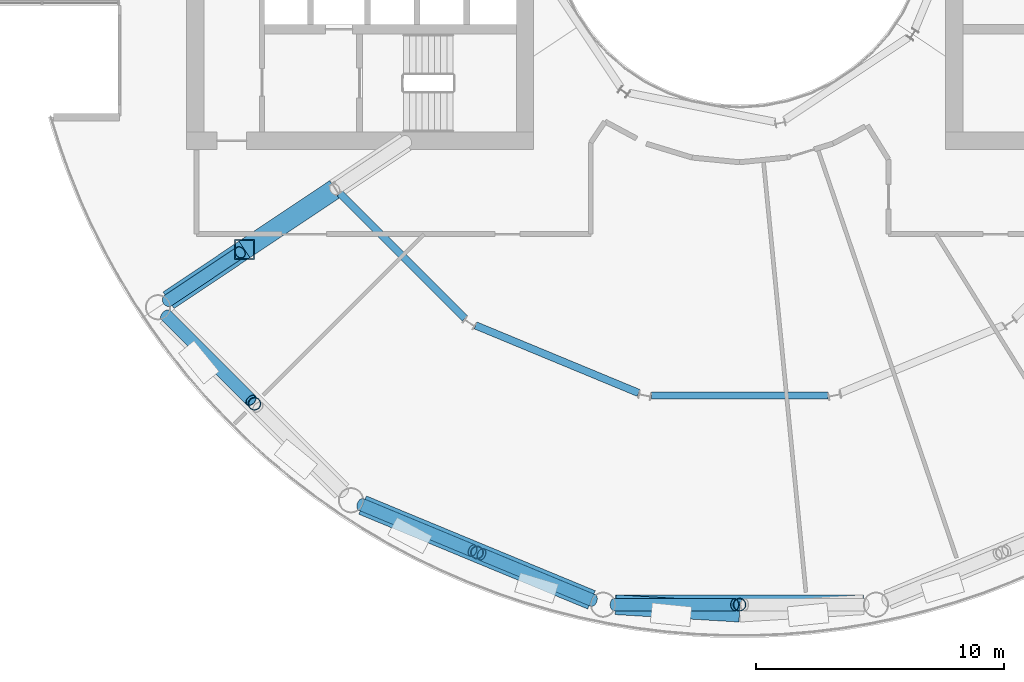
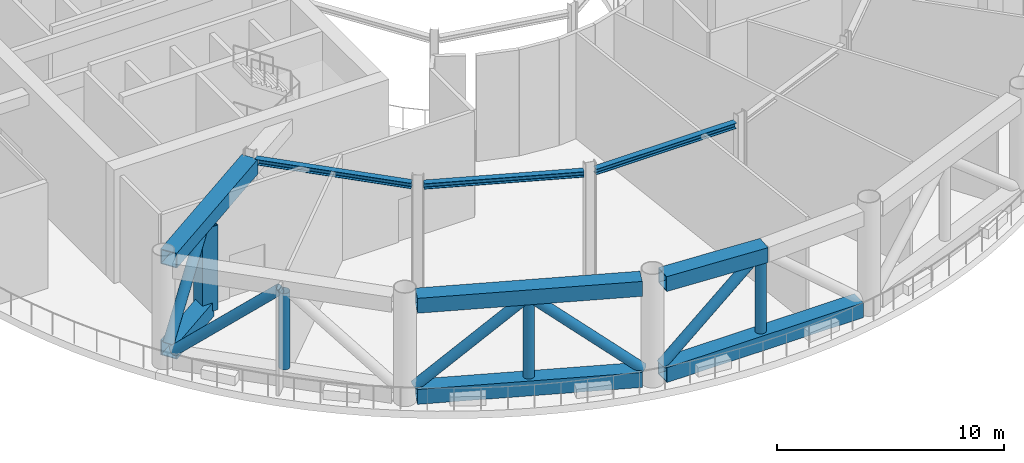
# One storey, part 5 of 23: 9 beams, 9 members.
"""IFC4 building model written with IfcOpenShell, lengths in metres."""

from ifc_helpers import new_model, si_unit, direction, frame, origin, origin_2d, place, context, subcontext, project, spatial, hollow_rectangle, hollow_circle, i_section, extrude, material, material_profile, profile_set, type_object, element, save


model = new_model("IFC4")

# Units and contexts
model_context = context("Model", 3, precision=1e-05, world=origin(), true_north=direction((0.0, 1.0)))
body_context = subcontext(model_context, "Body", "Model", "MODEL_VIEW")
ifc_project = project(units=[si_unit("LENGTHUNIT", "METRE"), si_unit("AREAUNIT", "SQUARE_METRE"), si_unit("VOLUMEUNIT", "CUBIC_METRE"), si_unit("PLANEANGLEUNIT", "RADIAN"), si_unit("MASSUNIT", "GRAM", prefix="KILO")], contexts=[model_context])

# Site, building, storey
site_placement = place(None, origin())
site = spatial("IfcSite", under=ifc_project, at=site_placement, CompositionType="ELEMENT")
building_placement = place(site_placement, origin())
building = spatial("IfcBuilding", under=site, at=building_placement, Name="Maasbend Ring Residences", CompositionType="ELEMENT")
storey_placement = place(building_placement, frame((0.0, 0.0, 97.14990234375)))
storey = spatial("IfcBuildingStorey", under=building, at=storey_placement, Name="L28", CompositionType="ELEMENT", Elevation=97.14990234375)

# Beams
ifc_material_1 = material(Name="Steel S460M", Category="steel")
ifc_material_profile_1 = material_profile(ifc_material_1, hollow_rectangle(XDim=0.800048828125, YDim=0.800048828125, WallThickness=0.0400390625, at=origin_2d()), Name="Belt truss chord BX 800x800x40")
ifc_profile_set_1 = profile_set([ifc_material_profile_1], Name="Steel S460M")
beam_type_1 = type_object("IfcBeamType", Name="Belt truss chord BX 800x800x40", PredefinedType="BEAM", material=ifc_profile_set_1)
for number, where, z_axis, x_axis, name in (
    (1, (-15.19775390625, -23.641845703125, 0.400146484375), (0.923886337442, -0.382667003395, 0.0), (0.382667003395, 0.923886337442, 0.0), "Belt truss"),
    (2, (-15.19775390625, -23.641845703125, 5.300048828125), (0.923886337442, -0.382667003395, 0.0), (0.382667003395, 0.923886337442, 0.0), "Belt truss"),
):
    element("IfcBeam", number, at=place(storey_placement, frame(where, z_axis=z_axis, x_axis=x_axis)), inside=storey, type_object=beam_type_1, Name=name, PredefinedType="BEAM", context=body_context, shape_type="SweptSolid", body=[
        extrude(hollow_rectangle(XDim=0.800048828125, YDim=0.800048828125, WallThickness=0.0400390625, at=origin_2d()), origin(), (0.0, 0.0, 1.0), 9.9873046875),
    ])
beam_1_placement = place(storey_placement, frame((-4.993408203125, -27.658203125, 0.400146484375), z_axis=(1.0, 0.0, 0.0), x_axis=(0.0, 1.0, 0.0)))
element("IfcBeam", 3, at=beam_1_placement, inside=storey, type_object=beam_type_1, Name="Belt truss", PredefinedType="BEAM", context=body_context, shape_type="SweptSolid", body=[
    extrude(hollow_rectangle(XDim=0.800048828125, YDim=0.800048828125, WallThickness=0.0400390625, at=origin_2d()), origin(), (0.0, 0.0, 1.0), 9.98681640625),
])
beam_2_placement = place(storey_placement, frame((-4.993408203125, -27.658203125, 5.300048828125), z_axis=(0.998202452092, -0.059932166976, 0.0), x_axis=(0.059932166976, 0.998202452092, 0.0)))
element("IfcBeam", 4, at=beam_2_placement, inside=storey, type_object=beam_type_1, Name="Belt truss", PredefinedType="BEAM", context=body_context, shape_type="SweptSolid", body=[
    extrude(hollow_rectangle(XDim=0.800048828125, YDim=0.800048828125, WallThickness=0.0400390625, at=origin_2d()), origin(), (0.0, 0.0, 1.0), 5.00244140625),
])

# Members
ifc_material_2 = material(Name="Steel S460NH", Category="steel")
ifc_material_profile_2 = material_profile(ifc_material_2, hollow_circle(Radius=0.25390625, WallThickness=0.02490234375, at=origin_2d()), Name="Belt truss diagonal CHS 508x25")
ifc_profile_set_2 = profile_set([ifc_material_profile_2], Name="Steel S460NH")
member_type_1 = type_object("IfcMemberType", Name="Belt truss diagonal CHS 508x25", PredefinedType="BRACE", material=ifc_profile_set_2)
for number, where, z_axis, x_axis, name in (
    (5, (-23.129150390625, -15.9853515625, 0.75), (0.53476676586, -0.53476676586, 0.654254546995), (0.707106781187, 0.707106781187, 0.0), "Belt truss diagonal"),
    (6, (-15.251220703125, -23.61962890625, 0.75), (0.698703236412, -0.289437235744, 0.65424756323), (0.382711511298, 0.923867901337, 0.0), "Belt truss diagonal"),
    (7, (-10.403076171875, -25.627685546875, 4.9501953125), (0.698703236412, -0.289437235744, -0.65424756323), (0.382711511298, 0.923867901337, 0.0), "Belt truss diagonal"),
):
    element("IfcMember", number, at=place(storey_placement, frame(where, z_axis=z_axis, x_axis=x_axis)), inside=storey, type_object=member_type_1, Name=name, PredefinedType="BRACE", context=body_context, shape_type="SweptSolid", body=[
        extrude(hollow_circle(Radius=0.25390625, WallThickness=0.02490234375, at=origin_2d()), origin(), (0.0, 0.0, 1.0), 6.419921875),
    ])
member_1_placement = place(storey_placement, frame((-5.05126953125, -27.658203125, 0.75), z_axis=(0.756263488028, 0.0, 0.654267175301), x_axis=(0.0, 1.0, 0.0)))
element("IfcMember", 8, at=member_1_placement, inside=storey, type_object=member_type_1, Name="Belt truss diagonal", PredefinedType="BRACE", context=body_context, shape_type="SweptSolid", body=[
    extrude(hollow_circle(Radius=0.25390625, WallThickness=0.02490234375, at=origin_2d()), origin(), (0.0, 0.0, 1.0), 6.419677734375),
])
ifc_material_3 = material(Name="Steel S460NH", Category="steel")
ifc_material_profile_3 = material_profile(ifc_material_3, hollow_circle(Radius=0.25390625, WallThickness=0.01611328125, at=origin_2d()), Name="Belt truss post CHS 508x16")
ifc_profile_set_3 = profile_set([ifc_material_profile_3], Name="Steel S460NH")
member_type_2 = type_object("IfcMemberType", Name="Belt truss post CHS 508x16", PredefinedType="POST", material=ifc_profile_set_3)
for number, where, z_axis, x_axis, name in (
    (9, (-19.55712890625, -19.55712890625, 0.800048828125), (0.0, 0.0, 1.0), (1.0, 0.0, 0.0), "Belt truss post"),
    (10, (-10.584228515625, -25.552734375, 0.800048828125), (0.0, 0.0, 1.0), (1.0, 0.0, 0.0), "Belt truss post"),
    (11, (0.0, -27.658203125, 0.800048828125), (0.0, 0.0, 1.0), (1.0, 0.0, 0.0), "Belt truss post"),
):
    element("IfcMember", number, at=place(storey_placement, frame(where, z_axis=z_axis, x_axis=x_axis)), inside=storey, type_object=member_type_2, Name=name, PredefinedType="POST", context=body_context, shape_type="SweptSolid", body=[
        extrude(hollow_circle(Radius=0.25390625, WallThickness=0.01611328125, at=origin_2d()), origin(), (0.0, 0.0, 1.0), 4.10009765625),
    ])

# Beams
ifc_material_4 = material(Name="Steel S355J2", Category="steel")
ifc_material_profile_4 = material_profile(ifc_material_4, i_section(OverallWidth=0.300048828125, OverallDepth=0.300048828125, WebThickness=0.010986328125, FlangeThickness=0.01904296875, FilletRadius=0.027099609375, at=origin_2d()), Name="HEB 300")
ifc_profile_set_4 = profile_set([ifc_material_profile_4], Name="Steel S355J2")
beam_type_2 = type_object("IfcBeamType", Name="Corridor ring beam HEB 300", PredefinedType="BEAM", material=ifc_profile_set_4)
for number, where, z_axis, x_axis, name in (
    (12, (-16.10791015625, -11.078125, 5.550048828125), (0.707106781187, -0.707106781187, 0.0), (0.707106781187, 0.707106781187, 0.0), "Corridor ring beam"),
    (13, (-10.642333984375, -16.39892578125, 5.550048828125), (0.923877113721, -0.382689271788, 0.0), (0.382689271788, 0.923877113721, 0.0), "Corridor ring beam"),
    (14, (-3.556640625, -19.223388671875, 5.550048828125), (1.0, 0.0, 0.0), (0.0, 1.0, 0.0), "Corridor ring beam"),
):
    element("IfcBeam", number, at=place(storey_placement, frame(where, z_axis=z_axis, x_axis=x_axis)), inside=storey, type_object=beam_type_2, Name=name, PredefinedType="BEAM", context=body_context, shape_type="SweptSolid", body=[
        extrude(i_section(OverallWidth=0.300048828125, OverallDepth=0.300048828125, WebThickness=0.010986328125, FlangeThickness=0.01904296875, FilletRadius=0.027099609375, at=origin_2d()), origin(), (0.0, 0.0, 1.0), 7.11328125),
    ])
ifc_material_5 = material(Name="Steel S460M", Category="steel")
ifc_material_profile_5 = material_profile(ifc_material_5, hollow_rectangle(XDim=0.800048828125, YDim=0.800048828125, WallThickness=0.0400390625, at=origin_2d()), Name="Outrigger truss chord BX 800x800x40")
ifc_profile_set_5 = profile_set([ifc_material_profile_5], Name="Steel S460M")
beam_type_3 = type_object("IfcBeamType", Name="Outrigger truss chord BX 800x800x40", PredefinedType="BEAM", material=ifc_profile_set_5)
beam_3_placement = place(storey_placement, frame((-23.02490234375, -15.385009765625, 0.400146484375), z_axis=(0.83143805452, 0.555617459676, 0.0), x_axis=(-0.555617459676, 0.83143805452, 0.0)))
element("IfcBeam", 15, at=beam_3_placement, inside=storey, type_object=beam_type_3, Name="Outrigger truss", PredefinedType="BEAM", context=body_context, shape_type="SweptSolid", body=[
    extrude(hollow_rectangle(XDim=0.800048828125, YDim=0.800048828125, WallThickness=0.0400390625, at=origin_2d()), origin(), (0.0, 0.0, 1.0), 3.68408203125),
])
beam_4_placement = place(storey_placement, frame((-23.02490234375, -15.385009765625, 5.300048828125), z_axis=(0.831450444505, 0.555598918585, 0.0), x_axis=(-0.555598918585, 0.831450444505, 0.0)))
element("IfcBeam", 16, at=beam_4_placement, inside=storey, type_object=beam_type_3, Name="Outrigger truss", PredefinedType="BEAM", context=body_context, shape_type="SweptSolid", body=[
    extrude(hollow_rectangle(XDim=0.800048828125, YDim=0.800048828125, WallThickness=0.0400390625, at=origin_2d()), origin(), (0.0, 0.0, 1.0), 8.083984375),
])

# Members
ifc_material_6 = material(Name="Steel S460NH", Category="steel")
ifc_material_profile_6 = material_profile(ifc_material_6, hollow_circle(Radius=0.25390625, WallThickness=0.02490234375, at=origin_2d()), Name="Outrigger truss diagonal CHS 508x25")
ifc_profile_set_6 = profile_set([ifc_material_profile_6], Name="Steel S460NH")
member_type_3 = type_object("IfcMemberType", Name="Outrigger truss diagonal CHS 508x25", PredefinedType="BRACE", material=ifc_profile_set_6)
member_2_placement = place(storey_placement, frame((-23.059814453125, -15.408203125, 0.75), z_axis=(0.533517077926, 0.356480534394, 0.766994886658), x_axis=(-0.555565729275, 0.831472621591, 0.0)))
element("IfcMember", 17, at=member_2_placement, inside=storey, type_object=member_type_3, Name="Outrigger truss diagonal", PredefinedType="BRACE", context=body_context, shape_type="SweptSolid", body=[
    extrude(hollow_circle(Radius=0.25390625, WallThickness=0.02490234375, at=origin_2d()), origin(), (0.0, 0.0, 1.0), 5.47607421875),
])
ifc_material_7 = material(Name="Steel S460M", Category="steel")
ifc_material_profile_7 = material_profile(ifc_material_7, hollow_rectangle(XDim=0.800048828125, YDim=0.800048828125, WallThickness=0.0400390625, at=origin_2d()), Name="Outrigger truss post BX 800x800x40")
ifc_profile_set_7 = profile_set([ifc_material_profile_7], Name="Steel S460M")
member_type_4 = type_object("IfcMemberType", Name="Outrigger truss post BX 800x800x40", PredefinedType="POST", material=ifc_profile_set_7)
member_3_placement = place(storey_placement, frame((-19.9619140625, -13.338134765625, 0.35009765625), z_axis=(0.0, 0.0, 1.0), x_axis=(1.0, 0.0, 0.0)))
element("IfcMember", 18, at=member_3_placement, inside=storey, type_object=member_type_4, Name="Outrigger truss post", PredefinedType="POST", context=body_context, shape_type="SweptSolid", body=[
    extrude(hollow_rectangle(XDim=0.800048828125, YDim=0.800048828125, WallThickness=0.0400390625, at=origin_2d()), origin(), (0.0, 0.0, 1.0), 4.550048828125),
])

save(model, "model.ifc")
